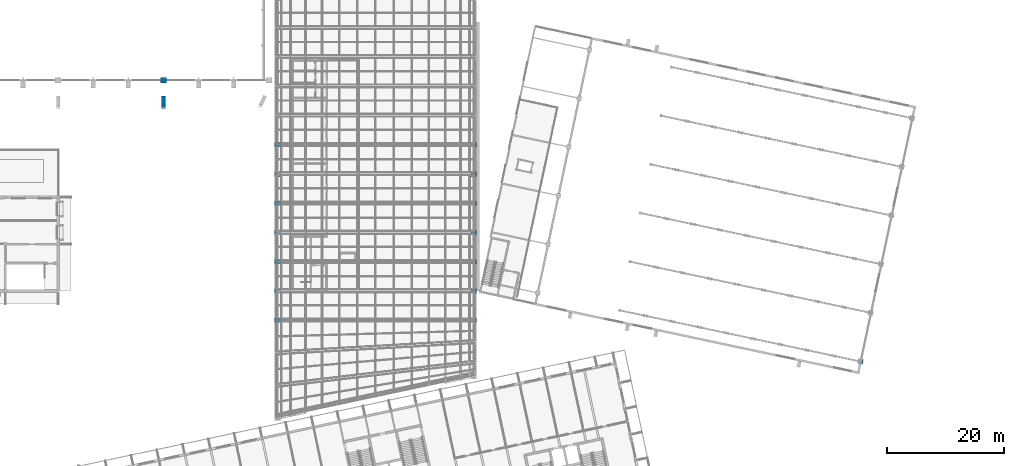
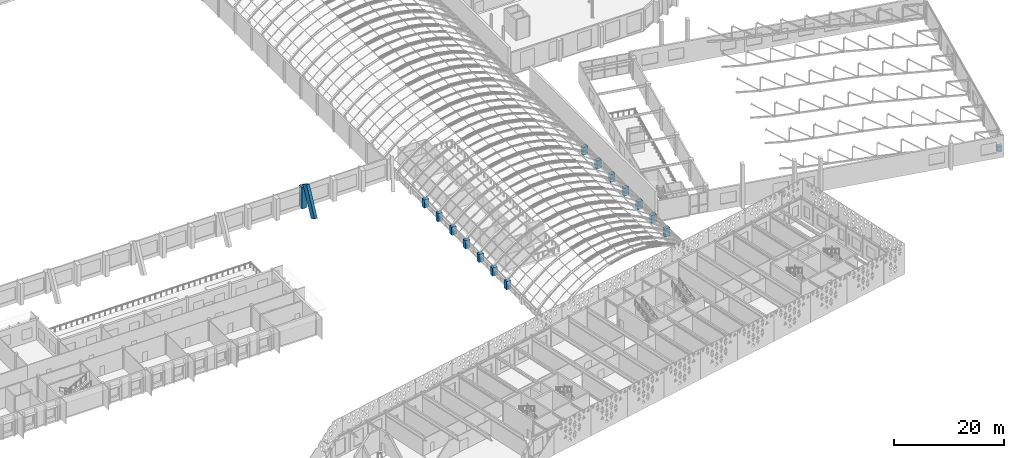
# One storey, part 16 of 182: 17 columns.
"""IFC4 building model written with IfcOpenShell, lengths in metres."""

from ifc_helpers import new_model, si_unit, direction, frame, origin, origin_2d, place, context, subcontext, project, spatial, rectangle, extrude, material, material_profile, profile_set, type_object, element, save


model = new_model("IFC4")

# Units and contexts
model_context = context("Model", 3, precision=1e-05, world=origin(), true_north=direction((0.0, 1.0)))
body_context = subcontext(model_context, "Body", "Model", "MODEL_VIEW")
ifc_project = project(units=[si_unit("LENGTHUNIT", "METRE"), si_unit("AREAUNIT", "SQUARE_METRE"), si_unit("VOLUMEUNIT", "CUBIC_METRE"), si_unit("PLANEANGLEUNIT", "RADIAN"), si_unit("MASSUNIT", "GRAM", prefix="KILO")], contexts=[model_context])

# Site, building, storey
site_placement = place(None, origin())
site = spatial("IfcSite", under=ifc_project, at=site_placement, CompositionType="ELEMENT")
building_placement = place(site_placement, origin())
building = spatial("IfcBuilding", under=site, at=building_placement, Name="Okhra Congress Centre", CompositionType="ELEMENT")
storey_placement = place(building_placement, frame((0.0, 0.0, 7.199951171875)))
storey = spatial("IfcBuildingStorey", under=building, at=storey_placement, Name="L01", CompositionType="ELEMENT", Elevation=7.199951171875)

# Columns
ifc_material_1 = material(Name="Concrete C40/50", Category="concrete")
ifc_material_profile_1 = material_profile(ifc_material_1, rectangle(XDim=1.0, YDim=1.0, at=origin_2d()), Name="RC 1000x1000")
ifc_profile_set_1 = profile_set([ifc_material_profile_1], Name="Concrete C40/50")
column_type_1 = type_object("IfcColumnType", Name="RC column 1000x1000 C40/50", PredefinedType="COLUMN", material=ifc_profile_set_1)
column_1_placement = place(storey_placement, frame((136.0, 132.0, 0.0), z_axis=(0.0, 0.0, 1.0), x_axis=(1.0, 0.0, 0.0)))
element("IfcColumn", 1, at=column_1_placement, inside=storey, type_object=column_type_1, Name="EH.COL.L01.SC13", PredefinedType="COLUMN", context=body_context, shape_type="SweptSolid", body=[
    extrude(rectangle(XDim=1.0, YDim=1.0, at=origin_2d()), origin(), (0.0, 0.0, 1.0), 4.800048828125),
])
ifc_material_profile_2 = material_profile(ifc_material_1, rectangle(XDim=0.800048828125, YDim=0.800048828125, at=origin_2d()), Name="RC 800x800")
ifc_profile_set_2 = profile_set([ifc_material_profile_2], Name="Concrete C40/50")
column_type_2 = type_object("IfcColumnType", Name="RC column 800x800 C40/50", PredefinedType="COLUMN", material=ifc_profile_set_2)
column_2_placement = place(storey_placement, frame((255.1171875, 83.947998046875, 0.0), z_axis=(0.0, 0.0, 1.0), x_axis=(0.978147600734, -0.207911690818, 0.0)))
element("IfcColumn", 2, at=column_2_placement, inside=storey, type_object=column_type_2, Name="Hall column E0", PredefinedType="COLUMN", context=body_context, shape_type="SweptSolid", body=[
    extrude(rectangle(XDim=0.800048828125, YDim=0.800048828125, at=origin_2d()), origin(), (0.0, 0.0, 1.0), 1.25),
])
ifc_material_profile_3 = material_profile(ifc_material_1, rectangle(XDim=1.0, YDim=0.800048828125, at=origin_2d()), Name="RC 1000x800")
ifc_profile_set_3 = profile_set([ifc_material_profile_3], Name="Concrete C40/50")
column_type_3 = type_object("IfcColumnType", Name="RC pier 1000x800 C40/50", PredefinedType="COLUMN", material=ifc_profile_set_3)
for number, where, z_axis, x_axis, name in (
    (3, (155.5, 91.0, 0.0), (0.0, 0.0, 1.0), (1.0, 0.0, 0.0), "WG.COL.L01.pier-W03"),
    (4, (189.0, 91.0, 0.0), (0.0, 0.0, 1.0), (1.0, 0.0, 0.0), "WG.COL.L01.pier-E03"),
    (5, (155.5, 96.0, 0.0), (0.0, 0.0, 1.0), (1.0, 0.0, 0.0), "WG.COL.L01.pier-W04"),
    (6, (189.0, 96.0, 0.0), (0.0, 0.0, 1.0), (1.0, 0.0, 0.0), "WG.COL.L01.pier-E04"),
    (7, (155.5, 101.0, 0.0), (0.0, 0.0, 1.0), (1.0, 0.0, 0.0), "WG.COL.L01.pier-W05"),
    (8, (189.0, 101.0, 0.0), (0.0, 0.0, 1.0), (1.0, 0.0, 0.0), "WG.COL.L01.pier-E05"),
    (9, (155.5, 106.0, 0.0), (0.0, 0.0, 1.0), (1.0, 0.0, 0.0), "WG.COL.L01.pier-W06"),
    (10, (189.0, 106.0, 0.0), (0.0, 0.0, 1.0), (1.0, 0.0, 0.0), "WG.COL.L01.pier-E06"),
    (11, (155.5, 111.0, 0.0), (0.0, 0.0, 1.0), (1.0, 0.0, 0.0), "WG.COL.L01.pier-W07"),
    (12, (189.0, 111.0, 0.0), (0.0, 0.0, 1.0), (1.0, 0.0, 0.0), "WG.COL.L01.pier-E07"),
    (13, (155.5, 116.0, 0.0), (0.0, 0.0, 1.0), (1.0, 0.0, 0.0), "WG.COL.L01.pier-W08"),
    (14, (189.0, 116.0, 0.0), (0.0, 0.0, 1.0), (1.0, 0.0, 0.0), "WG.COL.L01.pier-E08"),
    (15, (155.5, 121.0, 0.0), (0.0, 0.0, 1.0), (1.0, 0.0, 0.0), "WG.COL.L01.pier-W09"),
    (16, (189.0, 121.0, 0.0), (0.0, 0.0, 1.0), (1.0, 0.0, 0.0), "WG.COL.L01.pier-E09"),
):
    element("IfcColumn", number, at=place(storey_placement, frame(where, z_axis=z_axis, x_axis=x_axis)), inside=storey, type_object=column_type_3, Name=name, PredefinedType="COLUMN", context=body_context, shape_type="SweptSolid", body=[
        extrude(rectangle(XDim=1.0, YDim=0.800048828125, at=origin_2d()), origin(), (0.0, 0.0, 1.0), 1.800048828125),
    ])
ifc_material_2 = material(Name="Concrete C35/45", Category="concrete")
ifc_material_profile_4 = material_profile(ifc_material_2, rectangle(XDim=0.60009765625, YDim=1.5, at=origin_2d()), Name="RC 600x1500")
ifc_profile_set_4 = profile_set([ifc_material_profile_4], Name="Concrete C35/45")
column_type_4 = type_object("IfcColumnType", Name="Raking buttress pier RC 600x1500 C35/45", PredefinedType="COLUMN", material=ifc_profile_set_4)
column_3_placement = place(storey_placement, frame((136.0, 127.85595703125, 0.0), z_axis=(0.0, 0.453979342661, 0.891012208916), x_axis=(-1.0, 0.0, 0.0)))
element("IfcColumn", 17, at=column_3_placement, inside=storey, type_object=column_type_4, Name="Buttress pier 7", PredefinedType="COLUMN", context=body_context, shape_type="SweptSolid", body=[
    extrude(rectangle(XDim=0.60009765625, YDim=1.5, at=origin_2d()), origin(), (0.0, 0.0, 1.0), 6.554931640625),
])

save(model, "model.ifc")
